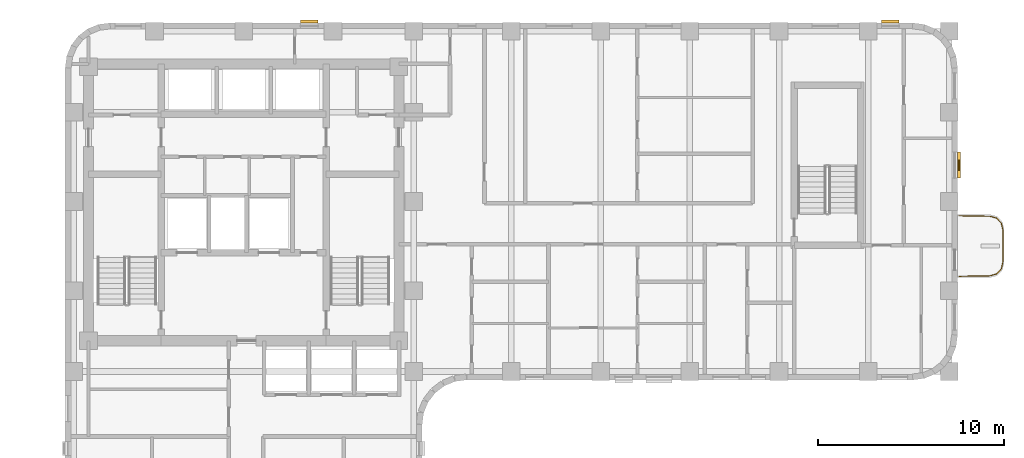
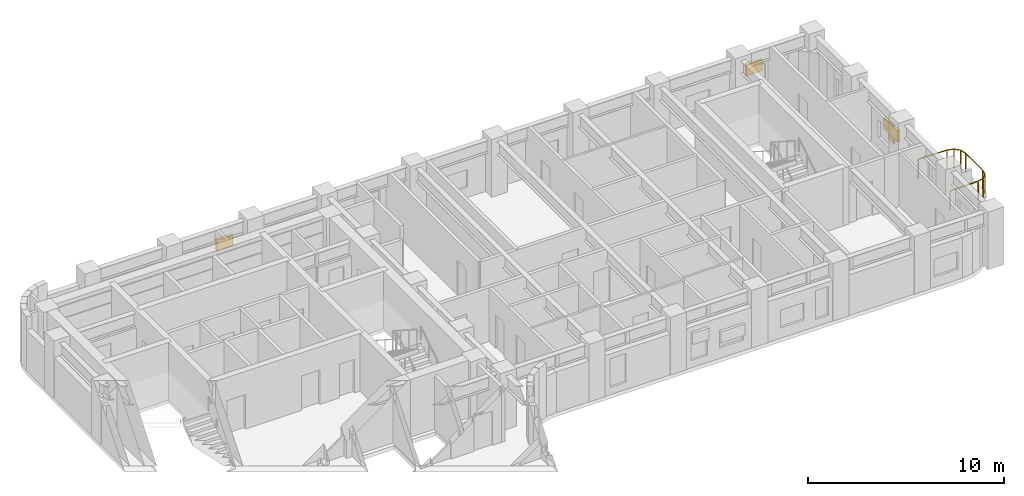
# One storey, part 10 of 10: 4 shading devices, 1 railing.
"""IFC4 building model written with IfcOpenShell, lengths in metres."""

import ifcopenshell
import ifcopenshell.guid

model = None  # the IFC model being written
_history = None  # IfcOwnerHistory: only IFC2X3 demands one
_inside = {}  # id of a spatial element -> (the spatial element, [elements in it])
_under = {}  # id of a project, library or spatial element -> (it, [spatial elements below it])
_declared = {}  # id of a project -> (the project, [libraries it declares])
_typed = {}  # id of a type object -> (the type object, [elements of that type])
_made_of = {}  # id of a material, layer set ... -> (it, [elements and type objects made of it])


def new_model(schema):
    """Start an empty IFC model of exactly this schema.

    Asked for "IFC4X3", IfcOpenShell would pick the latest addendum, in which some entities
    have other attributes; the version numbers below select the first issue.
    IFC2X3 requires an IfcOwnerHistory on every rooted entity: one is made here for all.
    """
    global model, _history
    if schema == "IFC4X3":
        model = ifcopenshell.file(schema_version=(4, 3, 0, 0))
    else:
        model = ifcopenshell.file(schema=schema)
    _inside.clear()
    _under.clear()
    _declared.clear()
    _typed.clear()
    _made_of.clear()
    _history = None
    if model.schema == "IFC2X3":
        org = make("IfcOrganization", Name="unknown")
        user = make(
            "IfcPersonAndOrganization",
            ThePerson=make("IfcPerson", FamilyName="unknown"),
            TheOrganization=org,
        )
        app = make(
            "IfcApplication",
            ApplicationDeveloper=org,
            Version="unknown",
            ApplicationFullName="unknown",
            ApplicationIdentifier="unknown",
        )
        _history = make(
            "IfcOwnerHistory",
            OwningUser=user,
            OwningApplication=app,
            ChangeAction="ADDED",
            CreationDate=0,
        )
    return model


def make(cls, **values):
    """One entity of the class cls with the attributes given. An attribute that is None is left unset."""
    return model.create_entity(
        cls, **{name: value for name, value in values.items() if value is not None}
    )


def rooted(cls, **values):
    """An entity with a GlobalId (a new one), such as an element, a storey or a relation."""
    return make(cls, GlobalId=ifcopenshell.guid.new(), OwnerHistory=_history, **values)


def si_unit(unit_type, name, prefix=None):
    """IfcSIUnit, for example si_unit("LENGTHUNIT", "METRE", prefix="MILLI")."""
    return make("IfcSIUnit", UnitType=unit_type, Prefix=prefix, Name=name)


def assignment(units):
    """IfcUnitAssignment: the units of a project."""
    return None if units is None else make("IfcUnitAssignment", Units=units)


def point(xyz):
    """IfcCartesianPoint."""
    return None if xyz is None else make("IfcCartesianPoint", Coordinates=xyz)


def direction(xyz):
    """IfcDirection."""
    return None if xyz is None else make("IfcDirection", DirectionRatios=xyz)


def frame(location, z_axis=None, x_axis=None):
    """IfcAxis2Placement3D, a coordinate frame: its origin and axes. An axis left out is left unset."""
    return make(
        "IfcAxis2Placement3D",
        Location=point(location),
        Axis=direction(z_axis),
        RefDirection=direction(x_axis),
    )


def frame_2d(location, x_axis=None):
    """IfcAxis2Placement2D, a coordinate frame in the plane: its origin and x axis."""
    return make(
        "IfcAxis2Placement2D", Location=point(location), RefDirection=direction(x_axis)
    )


def origin():
    """The frame at (0, 0, 0) with its axes left unset."""
    return frame((0.0, 0.0, 0.0))


def origin_2d():
    """The frame at (0, 0) in the plane with its x axis left unset."""
    return frame_2d((0.0, 0.0))


def place(relative_to, where):
    """IfcLocalPlacement: puts the frame where relative to a parent placement (None: the world)."""
    return make(
        "IfcLocalPlacement", PlacementRelTo=relative_to, RelativePlacement=where
    )


def context(
    kind, dimensions, precision=None, world=None, true_north=None, identifier=None
):
    """IfcGeometricRepresentationContext, for example the 3D "Model" context."""
    return make(
        "IfcGeometricRepresentationContext",
        ContextIdentifier=identifier,
        ContextType=kind,
        CoordinateSpaceDimension=dimensions,
        Precision=precision,
        WorldCoordinateSystem=world,
        TrueNorth=true_north,
    )


def subcontext(parent, identifier, kind, view, scale=None):
    """IfcGeometricRepresentationSubContext, for example "Body" below "Model"."""
    return make(
        "IfcGeometricRepresentationSubContext",
        ContextIdentifier=identifier,
        ContextType=kind,
        ParentContext=parent,
        TargetScale=scale,
        TargetView=view,
    )


def project(units=None, contexts=None):
    """IfcProject with its units and contexts."""
    return rooted(
        "IfcProject",
        Name="project",
        RepresentationContexts=contexts,
        UnitsInContext=assignment(units),
    )


def spatial(cls, under=None, at=None, **own):
    """A site, building, storey or space (cls), placed at a placement, below another one or the project."""
    s = rooted(cls, ObjectPlacement=at, **own)
    if under is not None:
        _under.setdefault(under.id(), (under, []))[1].append(s)
    return s


def profile(cls, at=None, kind="AREA", **sizes):
    """A parametric profile (cls). Its sizes go by their IFC names, for example OverallWidth=200.0."""
    return make(cls, ProfileType=kind, Position=at, **sizes)


def rectangle(**sizes):
    """IfcRectangleProfileDef."""
    return profile("IfcRectangleProfileDef", **sizes)


def extrude(swept, where, along, depth):
    """IfcExtrudedAreaSolid: the profile swept, set in the frame where, extruded along a direction by depth."""
    return make(
        "IfcExtrudedAreaSolid",
        SweptArea=swept,
        Position=where,
        ExtrudedDirection=direction(along),
        Depth=depth,
    )


def shape(context_of_items, identifier, shape_type, items):
    """IfcShapeRepresentation: the items that make up one representation, for example the "Body"."""
    return make(
        "IfcShapeRepresentation",
        ContextOfItems=context_of_items,
        RepresentationIdentifier=identifier,
        RepresentationType=shape_type,
        Items=items,
    )


def material(Name=None, Category=None):
    """IfcMaterial."""
    return make("IfcMaterial", Name=Name, Category=Category)


def made_of(thing, what):
    """Note that an element or type object is made of a material, layer set ...; save() writes the relation."""
    if what is not None:
        _made_of.setdefault(what.id(), (what, []))[1].append(thing)
    return thing


def type_object(cls, material=None, **own):
    """A type object (cls), such as IfcWallType, which elements share."""
    return made_of(rooted(cls, **own), material)


def element(
    cls,
    number,
    at=None,
    inside=None,
    cuts=None,
    type_object=None,
    material=None,
    context=None,
    identifier="Body",
    shape_type=None,
    held_by="IfcProductDefinitionShape",
    body=None,
    shapes=None,
    **own,
):
    """One element of the class cls, such as IfcWall. Its Tag is "e" and its number.

    at: its placement. inside: the storey or other place that contains it. cuts: it is an
    opening in that element (IfcRelVoidsElement). A single representation is given by context,
    identifier, shape_type and body (its items); several are given by shapes. held_by: the class
    of the entity that holds the representations. save() writes the other relations.
    """
    e = rooted(cls, Tag="e%d" % number, ObjectPlacement=at, **own)
    if body is not None:
        shapes = [shape(context, identifier, shape_type, body)]
    if shapes is not None:
        e.Representation = make(held_by, Representations=shapes)
    if inside is not None:
        _inside.setdefault(inside.id(), (inside, []))[1].append(e)
    if cuts is not None:
        rooted(
            "IfcRelVoidsElement", RelatingBuildingElement=cuts, RelatedOpeningElement=e
        )
    if type_object is not None:
        _typed.setdefault(type_object.id(), (type_object, []))[1].append(e)
    return made_of(e, material)


def aggregate(whole, parts):
    """IfcRelAggregates: a whole, such as a stair, and the parts it consists of."""
    return rooted("IfcRelAggregates", RelatingObject=whole, RelatedObjects=parts)


def save(model, path):
    """Write the relations noted so far, then the file.

    IfcRelAggregates (storeys below a building ...), IfcRelContainedInSpatialStructure (elements
    in a storey), IfcRelDefinesByType, IfcRelAssociatesMaterial and IfcRelDeclares: one each for
    every whole, place, type object, material and project.
    """
    for whole, parts in _under.values():
        aggregate(whole, parts)
    for where, things in _inside.values():
        rooted(
            "IfcRelContainedInSpatialStructure",
            RelatedElements=things,
            RelatingStructure=where,
        )
    for kind, things in _typed.values():
        rooted("IfcRelDefinesByType", RelatedObjects=things, RelatingType=kind)
    for what, things in _made_of.values():
        rooted("IfcRelAssociatesMaterial", RelatedObjects=things, RelatingMaterial=what)
    for by, libraries in _declared.values():
        rooted("IfcRelDeclares", RelatingContext=by, RelatedDefinitions=libraries)
    model.write(path)


model = new_model("IFC4")

# Units and contexts
model_context = context("Model", 3, precision=1e-05, world=origin(), true_north=direction((0.0, 1.0)))
body_context = subcontext(model_context, "Body", "Model", "MODEL_VIEW")
ifc_project = project(units=[si_unit("LENGTHUNIT", "METRE"), si_unit("AREAUNIT", "SQUARE_METRE"), si_unit("VOLUMEUNIT", "CUBIC_METRE"), si_unit("PLANEANGLEUNIT", "RADIAN"), si_unit("MASSUNIT", "GRAM", prefix="KILO")], contexts=[model_context])

# Site, building, storey
site_placement = place(None, origin())
site = spatial("IfcSite", under=ifc_project, at=site_placement, CompositionType="ELEMENT")
building_placement = place(site_placement, origin())
building = spatial("IfcBuilding", under=site, at=building_placement, Name="Orvandelia Arch Residences", CompositionType="ELEMENT")
storey_placement = place(building_placement, frame((0.0, 0.0, 114.39990234375)))
storey = spatial("IfcBuildingStorey", under=building, at=storey_placement, Name="L29", CompositionType="ELEMENT", Elevation=114.39990234375)

# Railing
ifc_material_1 = material(Name="Marine-Grade Stainless Steel 316", Category="steel")
railing_type = type_object("IfcRailingType", Name="GRD-BAL-1200", PredefinedType="BALUSTRADE", material=ifc_material_1)
railing_placement = place(storey_placement, frame((52.871826171875, 34.36962890625, 0.0)))
element("IfcRailing", 1, at=railing_placement, inside=storey, type_object=railing_type, Name="Safety Balustrade Guard GRD-L29-BAL-L29-E1-1", PredefinedType="BALUSTRADE", context=body_context, shape_type="SweptSolid", body=[
    extrude(rectangle(XDim=0.048095703125, YDim=0.048095703125, at=origin_2d()), frame((0.0, 0.0, 1.19580078125), z_axis=(0.999837384468, 0.018033430643, 0.0), x_axis=(-0.018033430643, 0.999837384468, 0.0)), (0.0, 0.0, 1.0), 1.6787109375),
    extrude(rectangle(XDim=0.048095703125, YDim=0.048095703125, at=origin_2d()), frame((1.678466796875, 0.0302734375, 1.19580078125), z_axis=(0.96348920644, 0.267747173792, 0.0), x_axis=(-0.267747173792, 0.96348920644, 0.0)), (0.0, 0.0, 1.0), 0.36572265625),
    extrude(rectangle(XDim=0.048095703125, YDim=0.048095703125, at=origin_2d()), frame((2.03076171875, 0.128173828125, 1.19580078125), z_axis=(0.687947031175, 0.725760898848, 0.0), x_axis=(-0.725760898848, 0.687947031175, 0.0)), (0.0, 0.0, 1.0), 0.367919921875),
    extrude(rectangle(XDim=0.048095703125, YDim=0.048095703125, at=origin_2d()), frame((2.283935546875, 0.395263671875, 1.19580078125), z_axis=(0.221225034864, 0.975222786828, 0.0), x_axis=(-0.975222786828, 0.221225034864, 0.0)), (0.0, 0.0, 1.0), 0.373046875),
    extrude(rectangle(XDim=0.048095703125, YDim=0.048095703125, at=origin_2d()), frame((2.366455078125, 0.759033203125, 1.19580078125), z_axis=(0.0, 1.0, 0.0), x_axis=(-1.0, 0.0, 0.0)), (0.0, 0.0, 1.0), 1.74267578125),
    extrude(rectangle(XDim=0.048095703125, YDim=0.048095703125, at=origin_2d()), frame((2.366455078125, 2.501708984375, 1.19580078125), z_axis=(-0.221225034864, 0.975222786828, 0.0), x_axis=(-0.975222786828, -0.221225034864, 0.0)), (0.0, 0.0, 1.0), 0.373046875),
    extrude(rectangle(XDim=0.048095703125, YDim=0.048095703125, at=origin_2d()), frame((2.283935546875, 2.865478515625, 1.19580078125), z_axis=(-0.687947031175, 0.725760898848, 0.0), x_axis=(-0.725760898848, -0.687947031175, 0.0)), (0.0, 0.0, 1.0), 0.367919921875),
    extrude(rectangle(XDim=0.048095703125, YDim=0.048095703125, at=origin_2d()), frame((2.03076171875, 3.132568359375, 1.19580078125), z_axis=(-0.96348920644, 0.267747173792, 0.0), x_axis=(-0.267747173792, -0.96348920644, 0.0)), (0.0, 0.0, 1.0), 0.36572265625),
    extrude(rectangle(XDim=0.048095703125, YDim=0.048095703125, at=origin_2d()), frame((1.678466796875, 3.23046875, 1.19580078125), z_axis=(-0.999837384468, 0.018033430643, 0.0), x_axis=(-0.018033430643, -0.999837384468, 0.0)), (0.0, 0.0, 1.0), 1.6787109375),
    extrude(rectangle(XDim=0.0419921875, YDim=0.0419921875, at=origin_2d()), origin(), (0.0, 0.0, 1.0), 1.171875),
    extrude(rectangle(XDim=0.0419921875, YDim=0.0419921875, at=origin_2d()), frame((1.678466796875, 0.0302734375, 0.0)), (0.0, 0.0, 1.0), 1.171875),
    extrude(rectangle(XDim=0.0419921875, YDim=0.0419921875, at=origin_2d()), frame((2.03076171875, 0.128173828125, 0.0)), (0.0, 0.0, 1.0), 1.171875),
    extrude(rectangle(XDim=0.0419921875, YDim=0.0419921875, at=origin_2d()), frame((2.283935546875, 0.395263671875, 0.0)), (0.0, 0.0, 1.0), 1.171875),
    extrude(rectangle(XDim=0.0419921875, YDim=0.0419921875, at=origin_2d()), frame((2.366455078125, 0.759033203125, 0.0)), (0.0, 0.0, 1.0), 1.171875),
    extrude(rectangle(XDim=0.0419921875, YDim=0.0419921875, at=origin_2d()), frame((2.366455078125, 2.501708984375, 0.0)), (0.0, 0.0, 1.0), 1.171875),
    extrude(rectangle(XDim=0.0419921875, YDim=0.0419921875, at=origin_2d()), frame((2.283935546875, 2.865478515625, 0.0)), (0.0, 0.0, 1.0), 1.171875),
    extrude(rectangle(XDim=0.0419921875, YDim=0.0419921875, at=origin_2d()), frame((2.03076171875, 3.132568359375, 0.0)), (0.0, 0.0, 1.0), 1.171875),
    extrude(rectangle(XDim=0.0419921875, YDim=0.0419921875, at=origin_2d()), frame((1.678466796875, 3.23046875, 0.0)), (0.0, 0.0, 1.0), 1.171875),
    extrude(rectangle(XDim=0.0419921875, YDim=0.0419921875, at=origin_2d()), frame((0.0, 3.2607421875, 0.0)), (0.0, 0.0, 1.0), 1.171875),
])

# Shading devices
ifc_material_2 = material(Name="Anodised Champagne-Bronze Extruded Aluminium", Category="aluminium")
shading_device_type_1 = type_object("IfcShadingDeviceType", Name="SHD-JALOUSIE-SCREEN", PredefinedType="JALOUSIE", material=ifc_material_2)
for number, where, z_axis, x_axis, name in (
    (2, (49.1875, 48.080078125, 1.55029296875), (0.0, 0.0, 1.0), (1.0, 0.0, 0.0), "Bronze Jalousie Sun-Shade L29-001"),
    (3, (17.927490234375, 48.080078125, 1.55029296875), (0.0, 0.0, 1.0), (1.0, 0.0, 0.0), "Bronze Jalousie Sun-Shade L29-002"),
):
    element("IfcShadingDevice", number, at=place(storey_placement, frame(where, z_axis=z_axis, x_axis=x_axis)), inside=storey, type_object=shading_device_type_1, Name=name, PredefinedType="JALOUSIE", context=body_context, shape_type="SweptSolid", body=[
        extrude(rectangle(XDim=0.949951171875, YDim=0.159912109375, at=origin_2d()), origin(), (0.0, 0.0, 1.0), 0.699951171875),
    ])
shading_device_1_placement = place(storey_placement, frame((52.8798828125, 40.347412109375, 1.05029296875), z_axis=(0.0, 0.0, 1.0), x_axis=(0.0, -1.0, 0.0)))
element("IfcShadingDevice", 4, at=shading_device_1_placement, inside=storey, type_object=shading_device_type_1, Name="Bronze Jalousie Sun-Shade L29-003", PredefinedType="JALOUSIE", context=body_context, shape_type="SweptSolid", body=[
    extrude(rectangle(XDim=1.39990234375, YDim=0.159912109375, at=origin_2d()), origin(), (0.0, 0.0, 1.0), 0.699951171875),
])
ifc_material_3 = material(Name="Marine-Grade Perforated Aluminium Storm Shutter", Category="aluminium")
shading_device_type_2 = type_object("IfcShadingDeviceType", Name="SHD-STORM-SHUTTER", PredefinedType="SHUTTER", material=ifc_material_3)
shading_device_2_placement = place(storey_placement, frame((52.8798828125, 40.347412109375, 0.650146484375), z_axis=(0.0, 0.0, 1.0), x_axis=(0.0, -1.0, 0.0)))
element("IfcShadingDevice", 5, at=shading_device_2_placement, inside=storey, type_object=shading_device_type_2, Name="Operable Typhoon Storm Shutter L29-003", PredefinedType="SHUTTER", context=body_context, shape_type="SweptSolid", body=[
    extrude(rectangle(XDim=0.550048828125, YDim=0.080078125, at=origin_2d()), origin(), (0.0, 0.0, 1.0), 1.10009765625),
])

save(model, "model.ifc")
